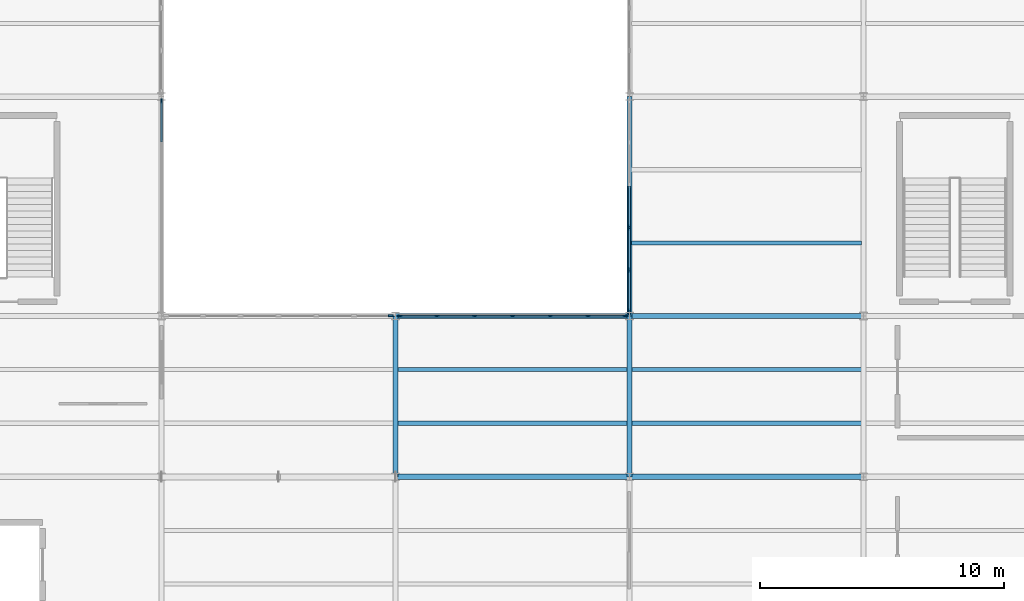
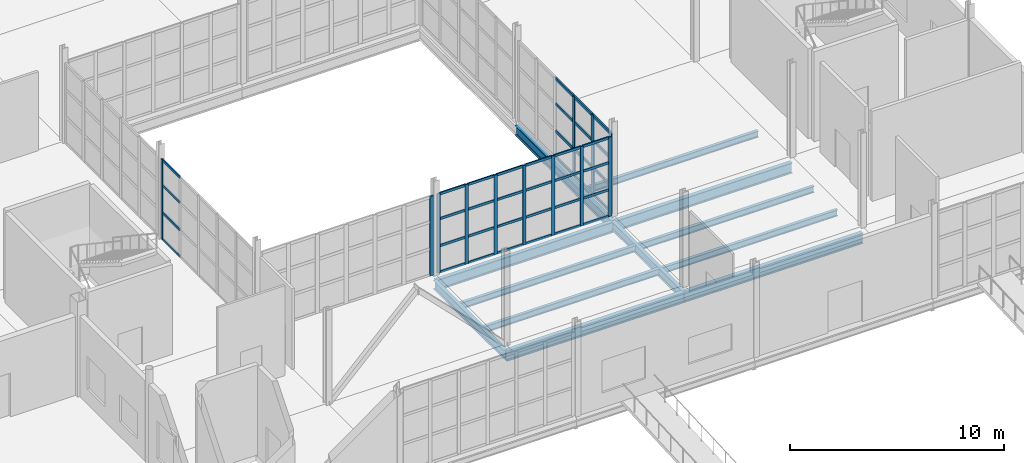
# One storey, part 36 of 85: 52 members, 12 beams, 4 elements without a shape of their own.
"""IFC4 building model written with IfcOpenShell, lengths in metres."""

from ifc_helpers import new_model, si_unit, direction, frame, origin, origin_2d, place, context, subcontext, project, spatial, rectangle, i_section, extrude, material, layer, layer_set, material_profile, profile_set, type_object, element, aggregate, save


model = new_model("IFC4")

# Units and contexts
model_context = context("Model", 3, precision=1e-05, world=origin(), true_north=direction((0.0, 1.0)))
body_context = subcontext(model_context, "Body", "Model", "MODEL_VIEW")
ifc_project = project(units=[si_unit("LENGTHUNIT", "METRE"), si_unit("AREAUNIT", "SQUARE_METRE"), si_unit("VOLUMEUNIT", "CUBIC_METRE"), si_unit("PLANEANGLEUNIT", "RADIAN"), si_unit("MASSUNIT", "GRAM", prefix="KILO")], contexts=[model_context])

# Site, building, storey
site_placement = place(None, origin())
site = spatial("IfcSite", under=ifc_project, at=site_placement, CompositionType="ELEMENT")
building_placement = place(site_placement, origin())
building = spatial("IfcBuilding", under=site, at=building_placement, Name="Zarnetskaya Central Station", CompositionType="ELEMENT")
storey_placement = place(building_placement, origin())
storey = spatial("IfcBuildingStorey", under=building, at=storey_placement, Name="L00", CompositionType="ELEMENT", Elevation=0.0)

# Beams
ifc_material_1 = material(Name="Steel S355", Category="steel")
ifc_material_profile_1 = material_profile(ifc_material_1, i_section(OverallWidth=0.169921875, OverallDepth=0.360107421875, WebThickness=0.008056640625, FlangeThickness=0.0126953125, FilletRadius=0.01806640625, at=origin_2d()), Name="IPE 360")
ifc_profile_set_1 = profile_set([ifc_material_profile_1], Name="Steel S355")
beam_type_1 = type_object("IfcBeamType", Name="BM-SEC-360", PredefinedType="BEAM", material=ifc_profile_set_1)
for number, where, z_axis, x_axis, name in (
    (1, (144.080078125, 8.800048828125, -0.5), (1.0, 0.0, 0.0), (0.0, 1.0, 0.0), "Secondary floor beam SEC-L00-Z32-RS-23-1"),
    (2, (144.080078125, 11.0, -0.5), (1.0, 0.0, 0.0), (0.0, 1.0, 0.0), "Secondary floor beam SEC-L00-Z32-RS-23-2"),
):
    element("IfcBeam", number, at=place(storey_placement, frame(where, z_axis=z_axis, x_axis=x_axis)), inside=storey, type_object=beam_type_1, Name=name, PredefinedType="BEAM", context=body_context, shape_type="SweptSolid", body=[
        extrude(i_section(OverallWidth=0.169921875, OverallDepth=0.360107421875, WebThickness=0.008056640625, FlangeThickness=0.0126953125, FilletRadius=0.01806640625, at=origin_2d()), origin(), (0.0, 0.0, 1.0), 9.43994140625),
    ])
for number, where, z_axis, x_axis, name in (
    (3, (153.679931640625, 8.800048828125, -0.5), (1.0, 0.0, 0.0), (0.0, 1.0, 0.0), "Secondary floor beam SEC-L00-Z32-ST-23-1"),
    (4, (153.679931640625, 11.0, -0.5), (1.0, 0.0, 0.0), (0.0, 1.0, 0.0), "Secondary floor beam SEC-L00-Z32-ST-23-2"),
    (5, (153.679931640625, 16.199951171875, -0.5), (1.0, 0.0, 0.0), (0.0, 1.0, 0.0), "Secondary floor beam SEC-L00-Z32-ST-34-1"),
):
    element("IfcBeam", number, at=place(storey_placement, frame(where, z_axis=z_axis, x_axis=x_axis)), inside=storey, type_object=beam_type_1, Name=name, PredefinedType="BEAM", context=body_context, shape_type="SweptSolid", body=[
        extrude(i_section(OverallWidth=0.169921875, OverallDepth=0.360107421875, WebThickness=0.008056640625, FlangeThickness=0.0126953125, FilletRadius=0.01806640625, at=origin_2d()), origin(), (0.0, 0.0, 1.0), 9.440185546875),
    ])

# Curtain wall, members
ifc_material_2 = material(Name="Low-E insulated glass", Category="glass")
ifc_layer = layer(ifc_material_2, 0.172119140625, Name="Low-E insulated glass", Category="glass")
ifc_layer_set = layer_set([ifc_layer], Name="Low-E insulated glass")
curtain_wall_type = type_object("IfcCurtainWallType", Name="CW-SYS-04", PredefinedType="USERDEFINED", material=ifc_layer_set)
curtain_wall_1_placement = place(storey_placement, origin())
curtain_wall_1 = element("IfcCurtainWall", 6, at=curtain_wall_1_placement, inside=storey, type_object=curtain_wall_type, Name="Curtain wall CW-L00-103", ObjectType="CURTAIN WALL", PredefinedType="USERDEFINED")
ifc_material_3 = material(Name="Anodised aluminium", Category="aluminium")
ifc_material_profile_2 = material_profile(ifc_material_3, rectangle(XDim=0.070068359375, YDim=0.179931640625, at=origin_2d()), Name="ALU MULL 70x180")
ifc_profile_set_2 = profile_set([ifc_material_profile_2], Name="Anodised aluminium")
member_type_1 = type_object("IfcMemberType", Name="CW-MULL-180", PredefinedType="MULLION", material=ifc_profile_set_2)
member_1_placement = place(storey_placement, frame((144.18505859375, 13.199951171875, 0.0), z_axis=(0.0, 0.0, 1.0), x_axis=(0.0, 1.0, 0.0)))
member_1 = element("IfcMember", 7, at=member_1_placement, type_object=member_type_1, Name="CW-15 mullion 1", PredefinedType="MULLION", context=body_context, shape_type="SweptSolid", body=[
    extrude(rectangle(XDim=0.070068359375, YDim=0.179931640625, at=origin_2d()), origin(), (0.0, 0.0, 1.0), 4.52001953125),
])
member_2_placement = place(storey_placement, frame((145.699951171875, 13.199951171875, 0.0), z_axis=(0.0, 0.0, 1.0), x_axis=(0.0, 1.0, 0.0)))
member_2 = element("IfcMember", 8, at=member_2_placement, type_object=member_type_1, Name="CW-15 mullion 2", PredefinedType="MULLION", context=body_context, shape_type="SweptSolid", body=[
    extrude(rectangle(XDim=0.070068359375, YDim=0.179931640625, at=origin_2d()), origin(), (0.0, 0.0, 1.0), 4.52001953125),
])
member_3_placement = place(storey_placement, frame((147.25, 13.199951171875, 0.0), z_axis=(0.0, 0.0, 1.0), x_axis=(0.0, 1.0, 0.0)))
member_3 = element("IfcMember", 9, at=member_3_placement, type_object=member_type_1, Name="CW-15 mullion 3", PredefinedType="MULLION", context=body_context, shape_type="SweptSolid", body=[
    extrude(rectangle(XDim=0.070068359375, YDim=0.179931640625, at=origin_2d()), origin(), (0.0, 0.0, 1.0), 4.52001953125),
])
member_4_placement = place(storey_placement, frame((148.800048828125, 13.199951171875, 0.0), z_axis=(0.0, 0.0, 1.0), x_axis=(0.0, 1.0, 0.0)))
member_4 = element("IfcMember", 10, at=member_4_placement, type_object=member_type_1, Name="CW-15 mullion 4", PredefinedType="MULLION", context=body_context, shape_type="SweptSolid", body=[
    extrude(rectangle(XDim=0.070068359375, YDim=0.179931640625, at=origin_2d()), origin(), (0.0, 0.0, 1.0), 4.52001953125),
])
member_5_placement = place(storey_placement, frame((150.35009765625, 13.199951171875, 0.0), z_axis=(0.0, 0.0, 1.0), x_axis=(0.0, 1.0, 0.0)))
member_5 = element("IfcMember", 11, at=member_5_placement, type_object=member_type_1, Name="CW-15 mullion 5", PredefinedType="MULLION", context=body_context, shape_type="SweptSolid", body=[
    extrude(rectangle(XDim=0.070068359375, YDim=0.179931640625, at=origin_2d()), origin(), (0.0, 0.0, 1.0), 4.52001953125),
])
member_6_placement = place(storey_placement, frame((151.89990234375, 13.199951171875, 0.0), z_axis=(0.0, 0.0, 1.0), x_axis=(0.0, 1.0, 0.0)))
member_6 = element("IfcMember", 12, at=member_6_placement, type_object=member_type_1, Name="CW-15 mullion 6", PredefinedType="MULLION", context=body_context, shape_type="SweptSolid", body=[
    extrude(rectangle(XDim=0.070068359375, YDim=0.179931640625, at=origin_2d()), origin(), (0.0, 0.0, 1.0), 4.52001953125),
])
member_7_placement = place(storey_placement, frame((153.4150390625, 13.199951171875, 0.0), z_axis=(0.0, 0.0, 1.0), x_axis=(0.0, 1.0, 0.0)))
member_7 = element("IfcMember", 13, at=member_7_placement, type_object=member_type_1, Name="CW-15 mullion 7", PredefinedType="MULLION", context=body_context, shape_type="SweptSolid", body=[
    extrude(rectangle(XDim=0.070068359375, YDim=0.179931640625, at=origin_2d()), origin(), (0.0, 0.0, 1.0), 4.52001953125),
])

# Curtain wall, member
curtain_wall_2_placement = place(storey_placement, origin())
curtain_wall_2 = element("IfcCurtainWall", 14, at=curtain_wall_2_placement, inside=storey, type_object=curtain_wall_type, Name="Curtain wall CW-L00-109", ObjectType="CURTAIN WALL", PredefinedType="USERDEFINED")
member_8_placement = place(storey_placement, frame((134.39990234375, 22.014892578125, 0.0), z_axis=(0.0, 0.0, 1.0), x_axis=(1.0, 0.0, 0.0)))
member_8 = element("IfcMember", 15, at=member_8_placement, type_object=member_type_1, Name="CW-15 mullion 1", PredefinedType="MULLION", context=body_context, shape_type="SweptSolid", body=[
    extrude(rectangle(XDim=0.070068359375, YDim=0.179931640625, at=origin_2d()), origin(), (0.0, 0.0, 1.0), 4.570068359375),
])

curtain_wall_3_placement = place(storey_placement, origin())
curtain_wall_3 = element("IfcCurtainWall", 16, at=curtain_wall_3_placement, inside=storey, type_object=curtain_wall_type, Name="Curtain wall CW-L00-102", ObjectType="CURTAIN WALL", PredefinedType="USERDEFINED")
ifc_material_profile_3 = material_profile(ifc_material_3, rectangle(XDim=0.080078125, YDim=0.219970703125, at=origin_2d()), Name="ALU MULL 80x220")
ifc_profile_set_3 = profile_set([ifc_material_profile_3], Name="Anodised aluminium")
member_type_2 = type_object("IfcMemberType", Name="CW-MULL-220", PredefinedType="MULLION", material=ifc_profile_set_3)
member_9_placement = place(storey_placement, frame((143.81005859375, 13.199951171875, 0.0), z_axis=(0.0, 0.0, 1.0), x_axis=(0.0, 1.0, 0.0)))
member_9 = element("IfcMember", 17, at=member_9_placement, type_object=member_type_2, Name="CW-15 mullion 7", PredefinedType="MULLION", context=body_context, shape_type="SweptSolid", body=[
    extrude(rectangle(XDim=0.080078125, YDim=0.219970703125, at=origin_2d()), origin(), (0.0, 0.0, 1.0), 4.52001953125),
])
aggregate(curtain_wall_3, [member_9])

# Curtain wall, members
curtain_wall_4_placement = place(storey_placement, origin())
curtain_wall_4 = element("IfcCurtainWall", 18, at=curtain_wall_4_placement, inside=storey, type_object=curtain_wall_type, Name="Curtain wall CW-L00-104", ObjectType="CURTAIN WALL", PredefinedType="USERDEFINED")
member_10_placement = place(storey_placement, frame((153.60009765625, 13.389892578125, 0.0), z_axis=(0.0, 0.0, 1.0), x_axis=(-1.0, 0.0, 0.0)))
member_10 = element("IfcMember", 19, at=member_10_placement, type_object=member_type_2, Name="CW-15 mullion 1", PredefinedType="MULLION", context=body_context, shape_type="SweptSolid", body=[
    extrude(rectangle(XDim=0.080078125, YDim=0.219970703125, at=origin_2d()), origin(), (0.0, 0.0, 1.0), 4.570068359375),
])
member_11_placement = place(storey_placement, frame((153.60009765625, 15.090087890625, 0.0), z_axis=(0.0, 0.0, 1.0), x_axis=(-1.0, 0.0, 0.0)))
member_11 = element("IfcMember", 20, at=member_11_placement, type_object=member_type_2, Name="CW-15 mullion 2", PredefinedType="MULLION", context=body_context, shape_type="SweptSolid", body=[
    extrude(rectangle(XDim=0.080078125, YDim=0.219970703125, at=origin_2d()), origin(), (0.0, 0.0, 1.0), 4.570068359375),
])
member_12_placement = place(storey_placement, frame((153.60009765625, 16.830078125, 0.0), z_axis=(0.0, 0.0, 1.0), x_axis=(-1.0, 0.0, 0.0)))
member_12 = element("IfcMember", 21, at=member_12_placement, type_object=member_type_2, Name="CW-15 mullion 3", PredefinedType="MULLION", context=body_context, shape_type="SweptSolid", body=[
    extrude(rectangle(XDim=0.080078125, YDim=0.219970703125, at=origin_2d()), origin(), (0.0, 0.0, 1.0), 4.570068359375),
])

# Member
ifc_material_profile_4 = material_profile(ifc_material_3, rectangle(XDim=0.070068359375, YDim=0.139892578125, at=origin_2d()), Name="ALU TRAN 70x140")
ifc_profile_set_4 = profile_set([ifc_material_profile_4], Name="Anodised aluminium")
member_type_3 = type_object("IfcMemberType", Name="CW-TRAN-140", PredefinedType="USERDEFINED", material=ifc_profile_set_4)
member_13_placement = place(storey_placement, frame((144.219970703125, 13.199951171875, 0.034912109375), z_axis=(1.0, 0.0, 0.0), x_axis=(0.0, 1.0, 0.0)))
member_13 = element("IfcMember", 22, at=member_13_placement, type_object=member_type_3, Name="CW-15 transom 1.1", ObjectType="TRANSOM", PredefinedType="USERDEFINED", context=body_context, shape_type="SweptSolid", body=[
    extrude(rectangle(XDim=0.070068359375, YDim=0.139892578125, at=origin_2d()), origin(), (0.0, 0.0, 1.0), 1.445068359375),
])

member_14_placement = place(storey_placement, frame((144.219970703125, 13.199951171875, 1.537109375), z_axis=(1.0, 0.0, 0.0), x_axis=(0.0, 1.0, 0.0)))
member_14 = element("IfcMember", 23, at=member_14_placement, type_object=member_type_3, Name="CW-15 transom 1.2", ObjectType="TRANSOM", PredefinedType="USERDEFINED", context=body_context, shape_type="SweptSolid", body=[
    extrude(rectangle(XDim=0.070068359375, YDim=0.139892578125, at=origin_2d()), origin(), (0.0, 0.0, 1.0), 1.445068359375),
])

member_15_placement = place(storey_placement, frame((144.219970703125, 13.199951171875, 3.073974609375), z_axis=(1.0, 0.0, 0.0), x_axis=(0.0, 1.0, 0.0)))
member_15 = element("IfcMember", 24, at=member_15_placement, type_object=member_type_3, Name="CW-15 transom 1.3", ObjectType="TRANSOM", PredefinedType="USERDEFINED", context=body_context, shape_type="SweptSolid", body=[
    extrude(rectangle(XDim=0.070068359375, YDim=0.139892578125, at=origin_2d()), origin(), (0.0, 0.0, 1.0), 1.445068359375),
])

member_16_placement = place(storey_placement, frame((144.219970703125, 13.199951171875, 4.485107421875), z_axis=(1.0, 0.0, 0.0), x_axis=(0.0, 1.0, 0.0)))
member_16 = element("IfcMember", 25, at=member_16_placement, type_object=member_type_3, Name="CW-15 transom 1.4", ObjectType="TRANSOM", PredefinedType="USERDEFINED", context=body_context, shape_type="SweptSolid", body=[
    extrude(rectangle(XDim=0.070068359375, YDim=0.139892578125, at=origin_2d()), origin(), (0.0, 0.0, 1.0), 1.445068359375),
])

member_17_placement = place(storey_placement, frame((145.735107421875, 13.199951171875, 0.034912109375), z_axis=(1.0, 0.0, 0.0), x_axis=(0.0, 1.0, 0.0)))
member_17 = element("IfcMember", 26, at=member_17_placement, type_object=member_type_3, Name="CW-15 transom 2.1", ObjectType="TRANSOM", PredefinedType="USERDEFINED", context=body_context, shape_type="SweptSolid", body=[
    extrude(rectangle(XDim=0.070068359375, YDim=0.139892578125, at=origin_2d()), origin(), (0.0, 0.0, 1.0), 1.47998046875),
])

member_18_placement = place(storey_placement, frame((145.735107421875, 13.199951171875, 1.537109375), z_axis=(1.0, 0.0, 0.0), x_axis=(0.0, 1.0, 0.0)))
member_18 = element("IfcMember", 27, at=member_18_placement, type_object=member_type_3, Name="CW-15 transom 2.2", ObjectType="TRANSOM", PredefinedType="USERDEFINED", context=body_context, shape_type="SweptSolid", body=[
    extrude(rectangle(XDim=0.070068359375, YDim=0.139892578125, at=origin_2d()), origin(), (0.0, 0.0, 1.0), 1.47998046875),
])

member_19_placement = place(storey_placement, frame((145.735107421875, 13.199951171875, 3.073974609375), z_axis=(1.0, 0.0, 0.0), x_axis=(0.0, 1.0, 0.0)))
member_19 = element("IfcMember", 28, at=member_19_placement, type_object=member_type_3, Name="CW-15 transom 2.3", ObjectType="TRANSOM", PredefinedType="USERDEFINED", context=body_context, shape_type="SweptSolid", body=[
    extrude(rectangle(XDim=0.070068359375, YDim=0.139892578125, at=origin_2d()), origin(), (0.0, 0.0, 1.0), 1.47998046875),
])

member_20_placement = place(storey_placement, frame((145.735107421875, 13.199951171875, 4.485107421875), z_axis=(1.0, 0.0, 0.0), x_axis=(0.0, 1.0, 0.0)))
member_20 = element("IfcMember", 29, at=member_20_placement, type_object=member_type_3, Name="CW-15 transom 2.4", ObjectType="TRANSOM", PredefinedType="USERDEFINED", context=body_context, shape_type="SweptSolid", body=[
    extrude(rectangle(XDim=0.070068359375, YDim=0.139892578125, at=origin_2d()), origin(), (0.0, 0.0, 1.0), 1.47998046875),
])

member_21_placement = place(storey_placement, frame((147.284912109375, 13.199951171875, 0.034912109375), z_axis=(1.0, 0.0, 0.0), x_axis=(0.0, 1.0, 0.0)))
member_21 = element("IfcMember", 30, at=member_21_placement, type_object=member_type_3, Name="CW-15 transom 3.1", ObjectType="TRANSOM", PredefinedType="USERDEFINED", context=body_context, shape_type="SweptSolid", body=[
    extrude(rectangle(XDim=0.070068359375, YDim=0.139892578125, at=origin_2d()), origin(), (0.0, 0.0, 1.0), 1.47998046875),
])

member_22_placement = place(storey_placement, frame((147.284912109375, 13.199951171875, 1.537109375), z_axis=(1.0, 0.0, 0.0), x_axis=(0.0, 1.0, 0.0)))
member_22 = element("IfcMember", 31, at=member_22_placement, type_object=member_type_3, Name="CW-15 transom 3.2", ObjectType="TRANSOM", PredefinedType="USERDEFINED", context=body_context, shape_type="SweptSolid", body=[
    extrude(rectangle(XDim=0.070068359375, YDim=0.139892578125, at=origin_2d()), origin(), (0.0, 0.0, 1.0), 1.47998046875),
])

member_23_placement = place(storey_placement, frame((147.284912109375, 13.199951171875, 3.073974609375), z_axis=(1.0, 0.0, 0.0), x_axis=(0.0, 1.0, 0.0)))
member_23 = element("IfcMember", 32, at=member_23_placement, type_object=member_type_3, Name="CW-15 transom 3.3", ObjectType="TRANSOM", PredefinedType="USERDEFINED", context=body_context, shape_type="SweptSolid", body=[
    extrude(rectangle(XDim=0.070068359375, YDim=0.139892578125, at=origin_2d()), origin(), (0.0, 0.0, 1.0), 1.47998046875),
])

member_24_placement = place(storey_placement, frame((147.284912109375, 13.199951171875, 4.485107421875), z_axis=(1.0, 0.0, 0.0), x_axis=(0.0, 1.0, 0.0)))
member_24 = element("IfcMember", 33, at=member_24_placement, type_object=member_type_3, Name="CW-15 transom 3.4", ObjectType="TRANSOM", PredefinedType="USERDEFINED", context=body_context, shape_type="SweptSolid", body=[
    extrude(rectangle(XDim=0.070068359375, YDim=0.139892578125, at=origin_2d()), origin(), (0.0, 0.0, 1.0), 1.47998046875),
])

member_25_placement = place(storey_placement, frame((148.8349609375, 13.199951171875, 0.034912109375), z_axis=(1.0, 0.0, 0.0), x_axis=(0.0, 1.0, 0.0)))
member_25 = element("IfcMember", 34, at=member_25_placement, type_object=member_type_3, Name="CW-15 transom 4.1", ObjectType="TRANSOM", PredefinedType="USERDEFINED", context=body_context, shape_type="SweptSolid", body=[
    extrude(rectangle(XDim=0.070068359375, YDim=0.139892578125, at=origin_2d()), origin(), (0.0, 0.0, 1.0), 1.47998046875),
])

member_26_placement = place(storey_placement, frame((148.8349609375, 13.199951171875, 1.537109375), z_axis=(1.0, 0.0, 0.0), x_axis=(0.0, 1.0, 0.0)))
member_26 = element("IfcMember", 35, at=member_26_placement, type_object=member_type_3, Name="CW-15 transom 4.2", ObjectType="TRANSOM", PredefinedType="USERDEFINED", context=body_context, shape_type="SweptSolid", body=[
    extrude(rectangle(XDim=0.070068359375, YDim=0.139892578125, at=origin_2d()), origin(), (0.0, 0.0, 1.0), 1.47998046875),
])

member_27_placement = place(storey_placement, frame((148.8349609375, 13.199951171875, 3.073974609375), z_axis=(1.0, 0.0, 0.0), x_axis=(0.0, 1.0, 0.0)))
member_27 = element("IfcMember", 36, at=member_27_placement, type_object=member_type_3, Name="CW-15 transom 4.3", ObjectType="TRANSOM", PredefinedType="USERDEFINED", context=body_context, shape_type="SweptSolid", body=[
    extrude(rectangle(XDim=0.070068359375, YDim=0.139892578125, at=origin_2d()), origin(), (0.0, 0.0, 1.0), 1.47998046875),
])

member_28_placement = place(storey_placement, frame((148.8349609375, 13.199951171875, 4.485107421875), z_axis=(1.0, 0.0, 0.0), x_axis=(0.0, 1.0, 0.0)))
member_28 = element("IfcMember", 37, at=member_28_placement, type_object=member_type_3, Name="CW-15 transom 4.4", ObjectType="TRANSOM", PredefinedType="USERDEFINED", context=body_context, shape_type="SweptSolid", body=[
    extrude(rectangle(XDim=0.070068359375, YDim=0.139892578125, at=origin_2d()), origin(), (0.0, 0.0, 1.0), 1.47998046875),
])

member_29_placement = place(storey_placement, frame((150.385009765625, 13.199951171875, 0.034912109375), z_axis=(1.0, 0.0, 0.0), x_axis=(0.0, 1.0, 0.0)))
member_29 = element("IfcMember", 38, at=member_29_placement, type_object=member_type_3, Name="CW-15 transom 5.1", ObjectType="TRANSOM", PredefinedType="USERDEFINED", context=body_context, shape_type="SweptSolid", body=[
    extrude(rectangle(XDim=0.070068359375, YDim=0.139892578125, at=origin_2d()), origin(), (0.0, 0.0, 1.0), 1.47998046875),
])

member_30_placement = place(storey_placement, frame((150.385009765625, 13.199951171875, 1.537109375), z_axis=(1.0, 0.0, 0.0), x_axis=(0.0, 1.0, 0.0)))
member_30 = element("IfcMember", 39, at=member_30_placement, type_object=member_type_3, Name="CW-15 transom 5.2", ObjectType="TRANSOM", PredefinedType="USERDEFINED", context=body_context, shape_type="SweptSolid", body=[
    extrude(rectangle(XDim=0.070068359375, YDim=0.139892578125, at=origin_2d()), origin(), (0.0, 0.0, 1.0), 1.47998046875),
])

member_31_placement = place(storey_placement, frame((150.385009765625, 13.199951171875, 3.073974609375), z_axis=(1.0, 0.0, 0.0), x_axis=(0.0, 1.0, 0.0)))
member_31 = element("IfcMember", 40, at=member_31_placement, type_object=member_type_3, Name="CW-15 transom 5.3", ObjectType="TRANSOM", PredefinedType="USERDEFINED", context=body_context, shape_type="SweptSolid", body=[
    extrude(rectangle(XDim=0.070068359375, YDim=0.139892578125, at=origin_2d()), origin(), (0.0, 0.0, 1.0), 1.47998046875),
])

member_32_placement = place(storey_placement, frame((150.385009765625, 13.199951171875, 4.485107421875), z_axis=(1.0, 0.0, 0.0), x_axis=(0.0, 1.0, 0.0)))
member_32 = element("IfcMember", 41, at=member_32_placement, type_object=member_type_3, Name="CW-15 transom 5.4", ObjectType="TRANSOM", PredefinedType="USERDEFINED", context=body_context, shape_type="SweptSolid", body=[
    extrude(rectangle(XDim=0.070068359375, YDim=0.139892578125, at=origin_2d()), origin(), (0.0, 0.0, 1.0), 1.47998046875),
])

member_33_placement = place(storey_placement, frame((151.93505859375, 13.199951171875, 0.034912109375), z_axis=(1.0, 0.0, 0.0), x_axis=(0.0, 1.0, 0.0)))
member_33 = element("IfcMember", 42, at=member_33_placement, type_object=member_type_3, Name="CW-15 transom 6.1", ObjectType="TRANSOM", PredefinedType="USERDEFINED", context=body_context, shape_type="SweptSolid", body=[
    extrude(rectangle(XDim=0.070068359375, YDim=0.139892578125, at=origin_2d()), origin(), (0.0, 0.0, 1.0), 1.44482421875),
])

member_34_placement = place(storey_placement, frame((151.93505859375, 13.199951171875, 1.537109375), z_axis=(1.0, 0.0, 0.0), x_axis=(0.0, 1.0, 0.0)))
member_34 = element("IfcMember", 43, at=member_34_placement, type_object=member_type_3, Name="CW-15 transom 6.2", ObjectType="TRANSOM", PredefinedType="USERDEFINED", context=body_context, shape_type="SweptSolid", body=[
    extrude(rectangle(XDim=0.070068359375, YDim=0.139892578125, at=origin_2d()), origin(), (0.0, 0.0, 1.0), 1.44482421875),
])

member_35_placement = place(storey_placement, frame((151.93505859375, 13.199951171875, 3.073974609375), z_axis=(1.0, 0.0, 0.0), x_axis=(0.0, 1.0, 0.0)))
member_35 = element("IfcMember", 44, at=member_35_placement, type_object=member_type_3, Name="CW-15 transom 6.3", ObjectType="TRANSOM", PredefinedType="USERDEFINED", context=body_context, shape_type="SweptSolid", body=[
    extrude(rectangle(XDim=0.070068359375, YDim=0.139892578125, at=origin_2d()), origin(), (0.0, 0.0, 1.0), 1.44482421875),
])

member_36_placement = place(storey_placement, frame((151.93505859375, 13.199951171875, 4.485107421875), z_axis=(1.0, 0.0, 0.0), x_axis=(0.0, 1.0, 0.0)))
member_36 = element("IfcMember", 45, at=member_36_placement, type_object=member_type_3, Name="CW-15 transom 6.4", ObjectType="TRANSOM", PredefinedType="USERDEFINED", context=body_context, shape_type="SweptSolid", body=[
    extrude(rectangle(XDim=0.070068359375, YDim=0.139892578125, at=origin_2d()), origin(), (0.0, 0.0, 1.0), 1.44482421875),
])

aggregate(curtain_wall_1, [member_1, member_2, member_3, member_4, member_5, member_6, member_7, member_13, member_14, member_15, member_16, member_17, member_18, member_19, member_20, member_21, member_22, member_23, member_24, member_25, member_26, member_27, member_28, member_29, member_30, member_31, member_32, member_33, member_34, member_35, member_36])

member_37_placement = place(storey_placement, frame((134.39990234375, 21.97998046875, 0.034912109375), z_axis=(0.0, -1.0, 0.0), x_axis=(1.0, 0.0, 0.0)))
member_37 = element("IfcMember", 46, at=member_37_placement, type_object=member_type_3, Name="CW-15 transom 1.1", ObjectType="TRANSOM", PredefinedType="USERDEFINED", context=body_context, shape_type="SweptSolid", body=[
    extrude(rectangle(XDim=0.070068359375, YDim=0.139892578125, at=origin_2d()), origin(), (0.0, 0.0, 1.0), 1.635009765625),
])

member_38_placement = place(storey_placement, frame((134.39990234375, 21.97998046875, 1.553955078125), z_axis=(0.0, -1.0, 0.0), x_axis=(1.0, 0.0, 0.0)))
member_38 = element("IfcMember", 47, at=member_38_placement, type_object=member_type_3, Name="CW-15 transom 1.2", ObjectType="TRANSOM", PredefinedType="USERDEFINED", context=body_context, shape_type="SweptSolid", body=[
    extrude(rectangle(XDim=0.070068359375, YDim=0.139892578125, at=origin_2d()), origin(), (0.0, 0.0, 1.0), 1.635009765625),
])

member_39_placement = place(storey_placement, frame((134.39990234375, 21.97998046875, 3.10791015625), z_axis=(0.0, -1.0, 0.0), x_axis=(1.0, 0.0, 0.0)))
member_39 = element("IfcMember", 48, at=member_39_placement, type_object=member_type_3, Name="CW-15 transom 1.3", ObjectType="TRANSOM", PredefinedType="USERDEFINED", context=body_context, shape_type="SweptSolid", body=[
    extrude(rectangle(XDim=0.070068359375, YDim=0.139892578125, at=origin_2d()), origin(), (0.0, 0.0, 1.0), 1.635009765625),
])

member_40_placement = place(storey_placement, frame((134.39990234375, 21.97998046875, 4.534912109375), z_axis=(0.0, -1.0, 0.0), x_axis=(1.0, 0.0, 0.0)))
member_40 = element("IfcMember", 49, at=member_40_placement, type_object=member_type_3, Name="CW-15 transom 1.4", ObjectType="TRANSOM", PredefinedType="USERDEFINED", context=body_context, shape_type="SweptSolid", body=[
    extrude(rectangle(XDim=0.070068359375, YDim=0.139892578125, at=origin_2d()), origin(), (0.0, 0.0, 1.0), 1.635009765625),
])

aggregate(curtain_wall_2, [member_8, member_37, member_38, member_39, member_40])

ifc_material_profile_5 = material_profile(ifc_material_3, rectangle(XDim=0.080078125, YDim=0.159912109375, at=origin_2d()), Name="ALU TRAN 80x160")
ifc_profile_set_5 = profile_set([ifc_material_profile_5], Name="Anodised aluminium")
member_type_4 = type_object("IfcMemberType", Name="CW-TRAN-160", PredefinedType="USERDEFINED", material=ifc_profile_set_5)
member_41_placement = place(storey_placement, frame((153.60009765625, 13.429931640625, 0.0400390625), z_axis=(0.0, 1.0, 0.0), x_axis=(-1.0, 0.0, 0.0)))
member_41 = element("IfcMember", 50, at=member_41_placement, type_object=member_type_4, Name="CW-15 transom 1.1", ObjectType="TRANSOM", PredefinedType="USERDEFINED", context=body_context, shape_type="SweptSolid", body=[
    extrude(rectangle(XDim=0.080078125, YDim=0.159912109375, at=origin_2d()), origin(), (0.0, 0.0, 1.0), 1.6201171875),
])

member_42_placement = place(storey_placement, frame((153.60009765625, 13.429931640625, 1.553955078125), z_axis=(0.0, 1.0, 0.0), x_axis=(-1.0, 0.0, 0.0)))
member_42 = element("IfcMember", 51, at=member_42_placement, type_object=member_type_4, Name="CW-15 transom 1.2", ObjectType="TRANSOM", PredefinedType="USERDEFINED", context=body_context, shape_type="SweptSolid", body=[
    extrude(rectangle(XDim=0.080078125, YDim=0.159912109375, at=origin_2d()), origin(), (0.0, 0.0, 1.0), 1.6201171875),
])

member_43_placement = place(storey_placement, frame((153.60009765625, 13.429931640625, 3.10791015625), z_axis=(0.0, 1.0, 0.0), x_axis=(-1.0, 0.0, 0.0)))
member_43 = element("IfcMember", 52, at=member_43_placement, type_object=member_type_4, Name="CW-15 transom 1.3", ObjectType="TRANSOM", PredefinedType="USERDEFINED", context=body_context, shape_type="SweptSolid", body=[
    extrude(rectangle(XDim=0.080078125, YDim=0.159912109375, at=origin_2d()), origin(), (0.0, 0.0, 1.0), 1.6201171875),
])

member_44_placement = place(storey_placement, frame((153.60009765625, 13.429931640625, 4.530029296875), z_axis=(0.0, 1.0, 0.0), x_axis=(-1.0, 0.0, 0.0)))
member_44 = element("IfcMember", 53, at=member_44_placement, type_object=member_type_4, Name="CW-15 transom 1.4", ObjectType="TRANSOM", PredefinedType="USERDEFINED", context=body_context, shape_type="SweptSolid", body=[
    extrude(rectangle(XDim=0.080078125, YDim=0.159912109375, at=origin_2d()), origin(), (0.0, 0.0, 1.0), 1.6201171875),
])

member_45_placement = place(storey_placement, frame((153.60009765625, 15.1298828125, 0.0400390625), z_axis=(0.0, 1.0, 0.0), x_axis=(-1.0, 0.0, 0.0)))
member_45 = element("IfcMember", 54, at=member_45_placement, type_object=member_type_4, Name="CW-15 transom 2.1", ObjectType="TRANSOM", PredefinedType="USERDEFINED", context=body_context, shape_type="SweptSolid", body=[
    extrude(rectangle(XDim=0.080078125, YDim=0.159912109375, at=origin_2d()), origin(), (0.0, 0.0, 1.0), 1.66015625),
])

member_46_placement = place(storey_placement, frame((153.60009765625, 15.1298828125, 1.553955078125), z_axis=(0.0, 1.0, 0.0), x_axis=(-1.0, 0.0, 0.0)))
member_46 = element("IfcMember", 55, at=member_46_placement, type_object=member_type_4, Name="CW-15 transom 2.2", ObjectType="TRANSOM", PredefinedType="USERDEFINED", context=body_context, shape_type="SweptSolid", body=[
    extrude(rectangle(XDim=0.080078125, YDim=0.159912109375, at=origin_2d()), origin(), (0.0, 0.0, 1.0), 1.66015625),
])

member_47_placement = place(storey_placement, frame((153.60009765625, 15.1298828125, 3.10791015625), z_axis=(0.0, 1.0, 0.0), x_axis=(-1.0, 0.0, 0.0)))
member_47 = element("IfcMember", 56, at=member_47_placement, type_object=member_type_4, Name="CW-15 transom 2.3", ObjectType="TRANSOM", PredefinedType="USERDEFINED", context=body_context, shape_type="SweptSolid", body=[
    extrude(rectangle(XDim=0.080078125, YDim=0.159912109375, at=origin_2d()), origin(), (0.0, 0.0, 1.0), 1.66015625),
])

member_48_placement = place(storey_placement, frame((153.60009765625, 15.1298828125, 4.530029296875), z_axis=(0.0, 1.0, 0.0), x_axis=(-1.0, 0.0, 0.0)))
member_48 = element("IfcMember", 57, at=member_48_placement, type_object=member_type_4, Name="CW-15 transom 2.4", ObjectType="TRANSOM", PredefinedType="USERDEFINED", context=body_context, shape_type="SweptSolid", body=[
    extrude(rectangle(XDim=0.080078125, YDim=0.159912109375, at=origin_2d()), origin(), (0.0, 0.0, 1.0), 1.66015625),
])

member_49_placement = place(storey_placement, frame((153.60009765625, 16.8701171875, 0.0400390625), z_axis=(0.0, 1.0, 0.0), x_axis=(-1.0, 0.0, 0.0)))
member_49 = element("IfcMember", 58, at=member_49_placement, type_object=member_type_4, Name="CW-15 transom 3.1", ObjectType="TRANSOM", PredefinedType="USERDEFINED", context=body_context, shape_type="SweptSolid", body=[
    extrude(rectangle(XDim=0.080078125, YDim=0.159912109375, at=origin_2d()), origin(), (0.0, 0.0, 1.0), 1.659912109375),
])

member_50_placement = place(storey_placement, frame((153.60009765625, 16.8701171875, 1.553955078125), z_axis=(0.0, 1.0, 0.0), x_axis=(-1.0, 0.0, 0.0)))
member_50 = element("IfcMember", 59, at=member_50_placement, type_object=member_type_4, Name="CW-15 transom 3.2", ObjectType="TRANSOM", PredefinedType="USERDEFINED", context=body_context, shape_type="SweptSolid", body=[
    extrude(rectangle(XDim=0.080078125, YDim=0.159912109375, at=origin_2d()), origin(), (0.0, 0.0, 1.0), 1.659912109375),
])

member_51_placement = place(storey_placement, frame((153.60009765625, 16.8701171875, 3.10791015625), z_axis=(0.0, 1.0, 0.0), x_axis=(-1.0, 0.0, 0.0)))
member_51 = element("IfcMember", 60, at=member_51_placement, type_object=member_type_4, Name="CW-15 transom 3.3", ObjectType="TRANSOM", PredefinedType="USERDEFINED", context=body_context, shape_type="SweptSolid", body=[
    extrude(rectangle(XDim=0.080078125, YDim=0.159912109375, at=origin_2d()), origin(), (0.0, 0.0, 1.0), 1.659912109375),
])

member_52_placement = place(storey_placement, frame((153.60009765625, 16.8701171875, 4.530029296875), z_axis=(0.0, 1.0, 0.0), x_axis=(-1.0, 0.0, 0.0)))
member_52 = element("IfcMember", 61, at=member_52_placement, type_object=member_type_4, Name="CW-15 transom 3.4", ObjectType="TRANSOM", PredefinedType="USERDEFINED", context=body_context, shape_type="SweptSolid", body=[
    extrude(rectangle(XDim=0.080078125, YDim=0.159912109375, at=origin_2d()), origin(), (0.0, 0.0, 1.0), 1.659912109375),
])

aggregate(curtain_wall_4, [member_10, member_11, member_12, member_41, member_42, member_43, member_44, member_45, member_46, member_47, member_48, member_49, member_50, member_51, member_52])

# Beams
ifc_material_profile_6 = material_profile(ifc_material_1, i_section(OverallWidth=0.199951171875, OverallDepth=0.5, WebThickness=0.01025390625, FlangeThickness=0.01611328125, FilletRadius=0.02099609375, at=origin_2d()), Name="IPE 500")
ifc_profile_set_6 = profile_set([ifc_material_profile_6], Name="Steel S355")
beam_type_2 = type_object("IfcBeamType", Name="GD-FLR-500", PredefinedType="USERDEFINED", material=ifc_profile_set_6)
for number, where, z_axis, x_axis, name in (
    (62, (144.0, 6.60009765625, -0.570068359375), (0.0, 1.0, 0.0), (-1.0, 0.0, 0.0), "Grid girder GY-L00-R-23"),
    (63, (153.60009765625, 6.60009765625, -0.570068359375), (0.0, 1.0, 0.0), (-1.0, 0.0, 0.0), "Grid girder GY-L00-S-23"),
):
    element("IfcBeam", number, at=place(storey_placement, frame(where, z_axis=z_axis, x_axis=x_axis)), inside=storey, type_object=beam_type_2, Name=name, ObjectType="GIRDER", PredefinedType="USERDEFINED", context=body_context, shape_type="SweptSolid", body=[
        extrude(i_section(OverallWidth=0.199951171875, OverallDepth=0.5, WebThickness=0.01025390625, FlangeThickness=0.01611328125, FilletRadius=0.02099609375, at=origin_2d()), origin(), (0.0, 0.0, 1.0), 6.599853515625),
    ])
ifc_material_profile_7 = material_profile(ifc_material_1, i_section(OverallWidth=0.2099609375, OverallDepth=0.550048828125, WebThickness=0.010986328125, FlangeThickness=0.01708984375, FilletRadius=0.02392578125, at=origin_2d()), Name="IPE 550")
ifc_profile_set_7 = profile_set([ifc_material_profile_7], Name="Steel S355")
beam_type_3 = type_object("IfcBeamType", Name="GD-FLR-550", PredefinedType="USERDEFINED", material=ifc_profile_set_7)
beam_placement = place(storey_placement, frame((153.60009765625, 13.199951171875, -0.594970703125), z_axis=(0.0, 1.0, 0.0), x_axis=(-1.0, 0.0, 0.0)))
element("IfcBeam", 64, at=beam_placement, inside=storey, type_object=beam_type_3, Name="Grid girder GY-L00-S-34", ObjectType="GIRDER", PredefinedType="USERDEFINED", context=body_context, shape_type="SweptSolid", body=[
    extrude(i_section(OverallWidth=0.2099609375, OverallDepth=0.550048828125, WebThickness=0.010986328125, FlangeThickness=0.01708984375, FilletRadius=0.02392578125, at=origin_2d()), origin(), (0.0, 0.0, 1.0), 9.0),
])
ifc_material_profile_8 = material_profile(ifc_material_1, i_section(OverallWidth=0.219970703125, OverallDepth=0.60009765625, WebThickness=0.011962890625, FlangeThickness=0.01904296875, FilletRadius=0.02392578125, at=origin_2d()), Name="IPE 600")
ifc_profile_set_8 = profile_set([ifc_material_profile_8], Name="Steel S355")
beam_type_4 = type_object("IfcBeamType", Name="GD-FLR-600", PredefinedType="USERDEFINED", material=ifc_profile_set_8)
for number, where, z_axis, x_axis, name in (
    (65, (144.0, 6.60009765625, -0.6201171875), (1.0, 0.0, 0.0), (0.0, 1.0, 0.0), "Grid girder GX-L00-2-RS"),
    (66, (144.0, 13.199951171875, -0.6201171875), (1.0, 0.0, 0.0), (0.0, 1.0, 0.0), "Grid girder GX-L00-3-RS"),
):
    element("IfcBeam", number, at=place(storey_placement, frame(where, z_axis=z_axis, x_axis=x_axis)), inside=storey, type_object=beam_type_4, Name=name, ObjectType="GIRDER", PredefinedType="USERDEFINED", context=body_context, shape_type="SweptSolid", body=[
        extrude(i_section(OverallWidth=0.219970703125, OverallDepth=0.60009765625, WebThickness=0.011962890625, FlangeThickness=0.01904296875, FilletRadius=0.02392578125, at=origin_2d()), origin(), (0.0, 0.0, 1.0), 9.60009765625),
    ])
for number, where, z_axis, x_axis, name in (
    (67, (153.60009765625, 6.60009765625, -0.6201171875), (1.0, 0.0, 0.0), (0.0, 1.0, 0.0), "Grid girder GX-L00-2-ST"),
    (68, (153.60009765625, 13.199951171875, -0.6201171875), (1.0, 0.0, 0.0), (0.0, 1.0, 0.0), "Grid girder GX-L00-3-ST"),
):
    element("IfcBeam", number, at=place(storey_placement, frame(where, z_axis=z_axis, x_axis=x_axis)), inside=storey, type_object=beam_type_4, Name=name, ObjectType="GIRDER", PredefinedType="USERDEFINED", context=body_context, shape_type="SweptSolid", body=[
        extrude(i_section(OverallWidth=0.219970703125, OverallDepth=0.60009765625, WebThickness=0.011962890625, FlangeThickness=0.01904296875, FilletRadius=0.02392578125, at=origin_2d()), origin(), (0.0, 0.0, 1.0), 9.599853515625),
    ])

save(model, "model.ifc")
